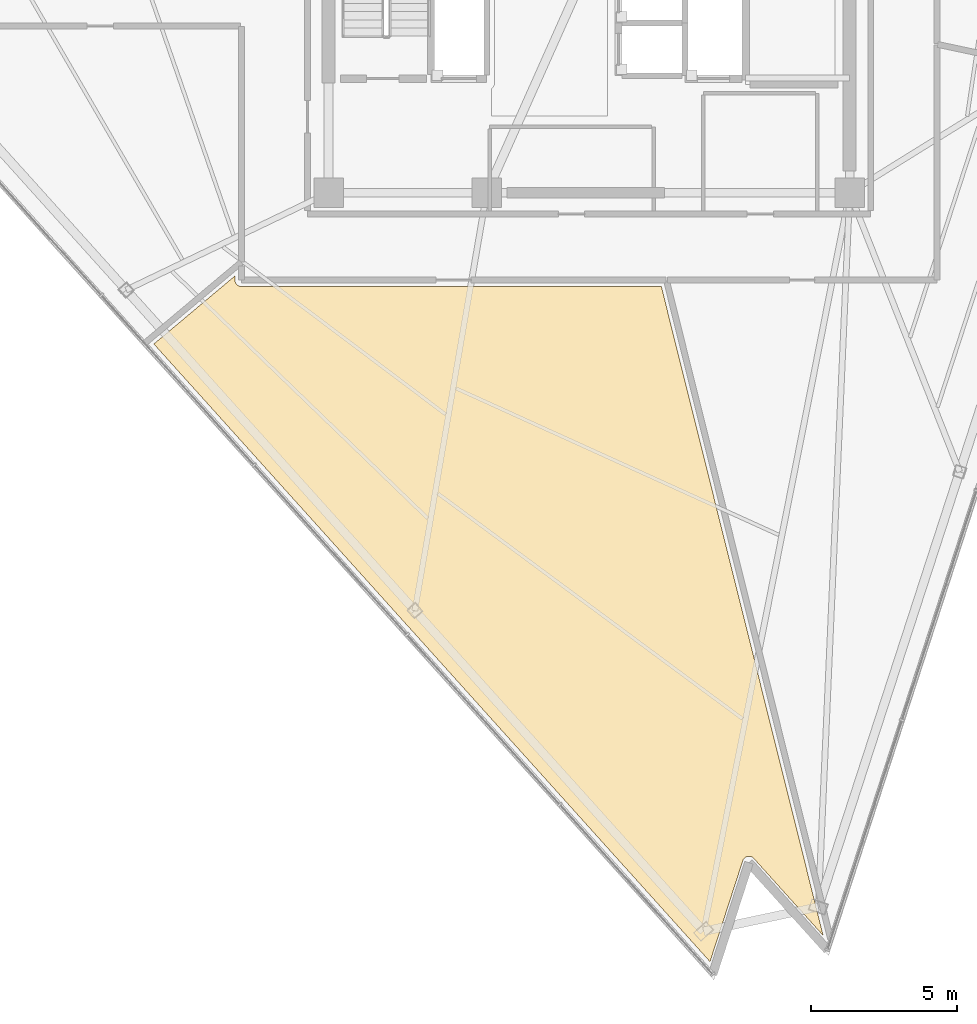
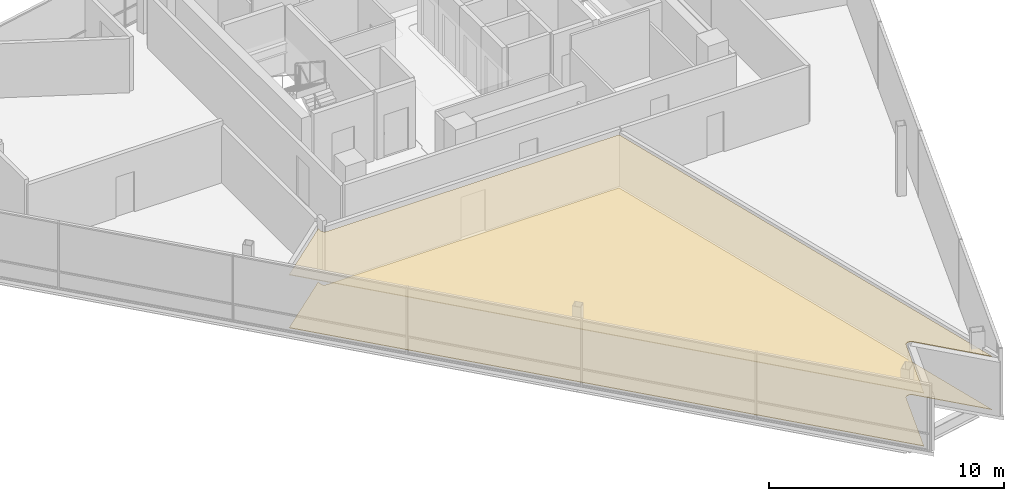
# One storey, part 13 of 15: 2 coverings.
"""IFC4 building model written with IfcOpenShell, lengths in metres."""

import ifcopenshell
import ifcopenshell.guid

model = None  # the IFC model being written
_history = None  # IfcOwnerHistory: only IFC2X3 demands one
_inside = {}  # id of a spatial element -> (the spatial element, [elements in it])
_under = {}  # id of a project, library or spatial element -> (it, [spatial elements below it])
_declared = {}  # id of a project -> (the project, [libraries it declares])
_typed = {}  # id of a type object -> (the type object, [elements of that type])
_made_of = {}  # id of a material, layer set ... -> (it, [elements and type objects made of it])


def new_model(schema):
    """Start an empty IFC model of exactly this schema.

    Asked for "IFC4X3", IfcOpenShell would pick the latest addendum, in which some entities
    have other attributes; the version numbers below select the first issue.
    IFC2X3 requires an IfcOwnerHistory on every rooted entity: one is made here for all.
    """
    global model, _history
    if schema == "IFC4X3":
        model = ifcopenshell.file(schema_version=(4, 3, 0, 0))
    else:
        model = ifcopenshell.file(schema=schema)
    _inside.clear()
    _under.clear()
    _declared.clear()
    _typed.clear()
    _made_of.clear()
    _history = None
    if model.schema == "IFC2X3":
        org = make("IfcOrganization", Name="unknown")
        user = make(
            "IfcPersonAndOrganization",
            ThePerson=make("IfcPerson", FamilyName="unknown"),
            TheOrganization=org,
        )
        app = make(
            "IfcApplication",
            ApplicationDeveloper=org,
            Version="unknown",
            ApplicationFullName="unknown",
            ApplicationIdentifier="unknown",
        )
        _history = make(
            "IfcOwnerHistory",
            OwningUser=user,
            OwningApplication=app,
            ChangeAction="ADDED",
            CreationDate=0,
        )
    return model


def make(cls, **values):
    """One entity of the class cls with the attributes given. An attribute that is None is left unset."""
    return model.create_entity(
        cls, **{name: value for name, value in values.items() if value is not None}
    )


def rooted(cls, **values):
    """An entity with a GlobalId (a new one), such as an element, a storey or a relation."""
    return make(cls, GlobalId=ifcopenshell.guid.new(), OwnerHistory=_history, **values)


def si_unit(unit_type, name, prefix=None):
    """IfcSIUnit, for example si_unit("LENGTHUNIT", "METRE", prefix="MILLI")."""
    return make("IfcSIUnit", UnitType=unit_type, Prefix=prefix, Name=name)


def assignment(units):
    """IfcUnitAssignment: the units of a project."""
    return None if units is None else make("IfcUnitAssignment", Units=units)


def point(xyz):
    """IfcCartesianPoint."""
    return None if xyz is None else make("IfcCartesianPoint", Coordinates=xyz)


def direction(xyz):
    """IfcDirection."""
    return None if xyz is None else make("IfcDirection", DirectionRatios=xyz)


def frame(location, z_axis=None, x_axis=None):
    """IfcAxis2Placement3D, a coordinate frame: its origin and axes. An axis left out is left unset."""
    return make(
        "IfcAxis2Placement3D",
        Location=point(location),
        Axis=direction(z_axis),
        RefDirection=direction(x_axis),
    )


def origin():
    """The frame at (0, 0, 0) with its axes left unset."""
    return frame((0.0, 0.0, 0.0))


def place(relative_to, where):
    """IfcLocalPlacement: puts the frame where relative to a parent placement (None: the world)."""
    return make(
        "IfcLocalPlacement", PlacementRelTo=relative_to, RelativePlacement=where
    )


def context(
    kind, dimensions, precision=None, world=None, true_north=None, identifier=None
):
    """IfcGeometricRepresentationContext, for example the 3D "Model" context."""
    return make(
        "IfcGeometricRepresentationContext",
        ContextIdentifier=identifier,
        ContextType=kind,
        CoordinateSpaceDimension=dimensions,
        Precision=precision,
        WorldCoordinateSystem=world,
        TrueNorth=true_north,
    )


def subcontext(parent, identifier, kind, view, scale=None):
    """IfcGeometricRepresentationSubContext, for example "Body" below "Model"."""
    return make(
        "IfcGeometricRepresentationSubContext",
        ContextIdentifier=identifier,
        ContextType=kind,
        ParentContext=parent,
        TargetScale=scale,
        TargetView=view,
    )


def project(units=None, contexts=None):
    """IfcProject with its units and contexts."""
    return rooted(
        "IfcProject",
        Name="project",
        RepresentationContexts=contexts,
        UnitsInContext=assignment(units),
    )


def spatial(cls, under=None, at=None, **own):
    """A site, building, storey or space (cls), placed at a placement, below another one or the project."""
    s = rooted(cls, ObjectPlacement=at, **own)
    if under is not None:
        _under.setdefault(under.id(), (under, []))[1].append(s)
    return s


def polyline(points):
    """IfcPolyline through the points."""
    return make("IfcPolyline", Points=[point(p) for p in points])


def outline(outer, holes=None, kind="AREA"):
    """IfcArbitraryClosedProfileDef: a profile drawn as a closed curve; with holes, ...WithVoids."""
    if holes is None:
        return make("IfcArbitraryClosedProfileDef", ProfileType=kind, OuterCurve=outer)
    return make(
        "IfcArbitraryProfileDefWithVoids",
        ProfileType=kind,
        OuterCurve=outer,
        InnerCurves=holes,
    )


def extrude(swept, where, along, depth):
    """IfcExtrudedAreaSolid: the profile swept, set in the frame where, extruded along a direction by depth."""
    return make(
        "IfcExtrudedAreaSolid",
        SweptArea=swept,
        Position=where,
        ExtrudedDirection=direction(along),
        Depth=depth,
    )


def shape(context_of_items, identifier, shape_type, items):
    """IfcShapeRepresentation: the items that make up one representation, for example the "Body"."""
    return make(
        "IfcShapeRepresentation",
        ContextOfItems=context_of_items,
        RepresentationIdentifier=identifier,
        RepresentationType=shape_type,
        Items=items,
    )


def material(Name=None, Category=None):
    """IfcMaterial."""
    return make("IfcMaterial", Name=Name, Category=Category)


def layer(
    of_material, thickness, ventilated=None, Name=None, Category=None, Priority=None
):
    """IfcMaterialLayer: one layer of a wall or slab, of a material (None: an air gap)."""
    return make(
        "IfcMaterialLayer",
        Material=of_material,
        LayerThickness=thickness,
        IsVentilated=ventilated,
        Name=Name,
        Category=Category,
        Priority=Priority,
    )


def layer_set(layers, Name=None):
    """IfcMaterialLayerSet."""
    return make("IfcMaterialLayerSet", MaterialLayers=layers, LayerSetName=Name)


def made_of(thing, what):
    """Note that an element or type object is made of a material, layer set ...; save() writes the relation."""
    if what is not None:
        _made_of.setdefault(what.id(), (what, []))[1].append(thing)
    return thing


def type_object(cls, material=None, **own):
    """A type object (cls), such as IfcWallType, which elements share."""
    return made_of(rooted(cls, **own), material)


def element(
    cls,
    number,
    at=None,
    inside=None,
    cuts=None,
    type_object=None,
    material=None,
    context=None,
    identifier="Body",
    shape_type=None,
    held_by="IfcProductDefinitionShape",
    body=None,
    shapes=None,
    **own,
):
    """One element of the class cls, such as IfcWall. Its Tag is "e" and its number.

    at: its placement. inside: the storey or other place that contains it. cuts: it is an
    opening in that element (IfcRelVoidsElement). A single representation is given by context,
    identifier, shape_type and body (its items); several are given by shapes. held_by: the class
    of the entity that holds the representations. save() writes the other relations.
    """
    e = rooted(cls, Tag="e%d" % number, ObjectPlacement=at, **own)
    if body is not None:
        shapes = [shape(context, identifier, shape_type, body)]
    if shapes is not None:
        e.Representation = make(held_by, Representations=shapes)
    if inside is not None:
        _inside.setdefault(inside.id(), (inside, []))[1].append(e)
    if cuts is not None:
        rooted(
            "IfcRelVoidsElement", RelatingBuildingElement=cuts, RelatedOpeningElement=e
        )
    if type_object is not None:
        _typed.setdefault(type_object.id(), (type_object, []))[1].append(e)
    return made_of(e, material)


def aggregate(whole, parts):
    """IfcRelAggregates: a whole, such as a stair, and the parts it consists of."""
    return rooted("IfcRelAggregates", RelatingObject=whole, RelatedObjects=parts)


def save(model, path):
    """Write the relations noted so far, then the file.

    IfcRelAggregates (storeys below a building ...), IfcRelContainedInSpatialStructure (elements
    in a storey), IfcRelDefinesByType, IfcRelAssociatesMaterial and IfcRelDeclares: one each for
    every whole, place, type object, material and project.
    """
    for whole, parts in _under.values():
        aggregate(whole, parts)
    for where, things in _inside.values():
        rooted(
            "IfcRelContainedInSpatialStructure",
            RelatedElements=things,
            RelatingStructure=where,
        )
    for kind, things in _typed.values():
        rooted("IfcRelDefinesByType", RelatedObjects=things, RelatingType=kind)
    for what, things in _made_of.values():
        rooted("IfcRelAssociatesMaterial", RelatedObjects=things, RelatingMaterial=what)
    for by, libraries in _declared.values():
        rooted("IfcRelDeclares", RelatingContext=by, RelatedDefinitions=libraries)
    model.write(path)


model = new_model("IFC4")

# Units and contexts
model_context = context("Model", 3, precision=1e-05, world=origin(), true_north=direction((0.0, 1.0)))
body_context = subcontext(model_context, "Body", "Model", "MODEL_VIEW")
ifc_project = project(units=[si_unit("LENGTHUNIT", "METRE"), si_unit("AREAUNIT", "SQUARE_METRE"), si_unit("VOLUMEUNIT", "CUBIC_METRE"), si_unit("PLANEANGLEUNIT", "RADIAN"), si_unit("MASSUNIT", "GRAM", prefix="KILO")], contexts=[model_context])

# Site, building, storey
site_placement = place(None, origin())
site = spatial("IfcSite", under=ifc_project, at=site_placement, CompositionType="ELEMENT")
building_placement = place(site_placement, origin())
building = spatial("IfcBuilding", under=site, at=building_placement, Name="Tharavind Bronze Gate", CompositionType="ELEMENT")
storey_placement = place(building_placement, frame((0.0, 0.0, 290.699951171875)))
storey = spatial("IfcBuildingStorey", under=building, at=storey_placement, Name="L75", CompositionType="ELEMENT", Elevation=290.699951171875)

# Coverings
ifc_material_1 = material(Name="Perforated Bronze Acoustic Panel", Category="bronze")
ifc_layer_1 = layer(ifc_material_1, 0.044921875)
ifc_layer_set_1 = layer_set([ifc_layer_1], Name="Perforated Bronze Acoustic Panel")
covering_type_1 = type_object("IfcCoveringType", Name="ACOUSTIC BRONZE BAFFLE CEILING", PredefinedType="CEILING", material=ifc_layer_set_1)
covering_1_placement = place(storey_placement, frame((0.0, 0.0, 2.75)))
element("IfcCovering", 1, at=covering_1_placement, inside=storey, type_object=covering_type_1, Name="L75-RM-04 suspended ceiling", PredefinedType="CEILING", context=body_context, shape_type="SweptSolid", body=[
    extrude(outline(polyline([(4.12939453125, -33.865478515625), (5.25, -30.416748046875), (5.25341796875, -30.406494140625), (5.253662109375, -30.406005859375), (5.262451171875, -30.3857421875), (5.273193359375, -30.36669921875), (5.285888671875, -30.348876953125), (5.30029296875, -30.332275390625), (5.316162109375, -30.317138671875), (5.33349609375, -30.3037109375), (5.352294921875, -30.2919921875), (5.371826171875, -30.282470703125), (5.392333984375, -30.274658203125), (5.41357421875, -30.26904296875), (5.435302734375, -30.265625), (5.45703125, -30.264404296875), (5.47900390625, -30.26513671875), (5.500732421875, -30.268310546875), (5.522216796875, -30.2734375), (5.542724609375, -30.28076171875), (5.5625, -30.2900390625), (5.581298828125, -30.30126953125), (5.59912109375, -30.314208984375), (5.615234375, -30.3291015625), (5.61572265625, -30.32958984375), (5.623291015625, -30.33740234375), (7.99365234375, -32.969970703125), (2.466064453125, -10.800048828125), (-11.87939453125, -10.800048828125), (-11.89013671875, -10.7998046875), (-11.890869140625, -10.7998046875), (-11.912353515625, -10.797607421875), (-11.933349609375, -10.79345703125), (-11.9541015625, -10.787109375), (-11.97412109375, -10.77880859375), (-11.9931640625, -10.768798828125), (-12.010986328125, -10.756591796875), (-12.027587890625, -10.742919921875), (-12.04296875, -10.727783203125), (-12.056640625, -10.7109375), (-12.068603515625, -10.693115234375), (-12.078857421875, -10.674072265625), (-12.087158203125, -10.654052734375), (-12.093505859375, -10.63330078125), (-12.09765625, -10.6123046875), (-12.099609375, -10.5908203125), (-12.099609375, -10.590087890625), (-12.10009765625, -10.579345703125), (-12.10009765625, -10.440185546875), (-14.8701171875, -12.7646484375), (4.12939453125, -33.865478515625)])), origin(), (0.0, 0.0, 1.0), 0.03515625),
])
ifc_material_2 = material(Name="Engineered Oak & Carpet Tile", Category="wood")
ifc_layer_2 = layer(ifc_material_2, 0.02490234375)
ifc_layer_set_2 = layer_set([ifc_layer_2], Name="Engineered Oak & Carpet Tile")
covering_type_2 = type_object("IfcCoveringType", Name="ENGINEERED TIMBER FLOORING", PredefinedType="FLOORING", material=ifc_layer_set_2)
covering_2_placement = place(storey_placement, origin())
element("IfcCovering", 2, at=covering_2_placement, inside=storey, type_object=covering_type_2, Name="L75-RM-04 floor finish", PredefinedType="FLOORING", context=body_context, shape_type="SweptSolid", body=[
    extrude(outline(polyline([(4.12939453125, -33.865478515625), (5.25, -30.416748046875), (5.25341796875, -30.406494140625), (5.253662109375, -30.406005859375), (5.262451171875, -30.3857421875), (5.273193359375, -30.36669921875), (5.285888671875, -30.348876953125), (5.30029296875, -30.332275390625), (5.316162109375, -30.317138671875), (5.33349609375, -30.3037109375), (5.352294921875, -30.2919921875), (5.371826171875, -30.282470703125), (5.392333984375, -30.274658203125), (5.41357421875, -30.26904296875), (5.435302734375, -30.265625), (5.45703125, -30.264404296875), (5.47900390625, -30.26513671875), (5.500732421875, -30.268310546875), (5.522216796875, -30.2734375), (5.542724609375, -30.28076171875), (5.5625, -30.2900390625), (5.581298828125, -30.30126953125), (5.59912109375, -30.314208984375), (5.615234375, -30.3291015625), (5.61572265625, -30.32958984375), (5.623291015625, -30.33740234375), (7.99365234375, -32.969970703125), (2.466064453125, -10.800048828125), (-11.87939453125, -10.800048828125), (-11.89013671875, -10.7998046875), (-11.890869140625, -10.7998046875), (-11.912353515625, -10.797607421875), (-11.933349609375, -10.79345703125), (-11.9541015625, -10.787109375), (-11.97412109375, -10.77880859375), (-11.9931640625, -10.768798828125), (-12.010986328125, -10.756591796875), (-12.027587890625, -10.742919921875), (-12.04296875, -10.727783203125), (-12.056640625, -10.7109375), (-12.068603515625, -10.693115234375), (-12.078857421875, -10.674072265625), (-12.087158203125, -10.654052734375), (-12.093505859375, -10.63330078125), (-12.09765625, -10.6123046875), (-12.099609375, -10.5908203125), (-12.099609375, -10.590087890625), (-12.10009765625, -10.579345703125), (-12.10009765625, -10.440185546875), (-14.8701171875, -12.7646484375), (4.12939453125, -33.865478515625)])), origin(), (0.0, 0.0, 1.0), 0.025146484375),
])

save(model, "model.ifc")
